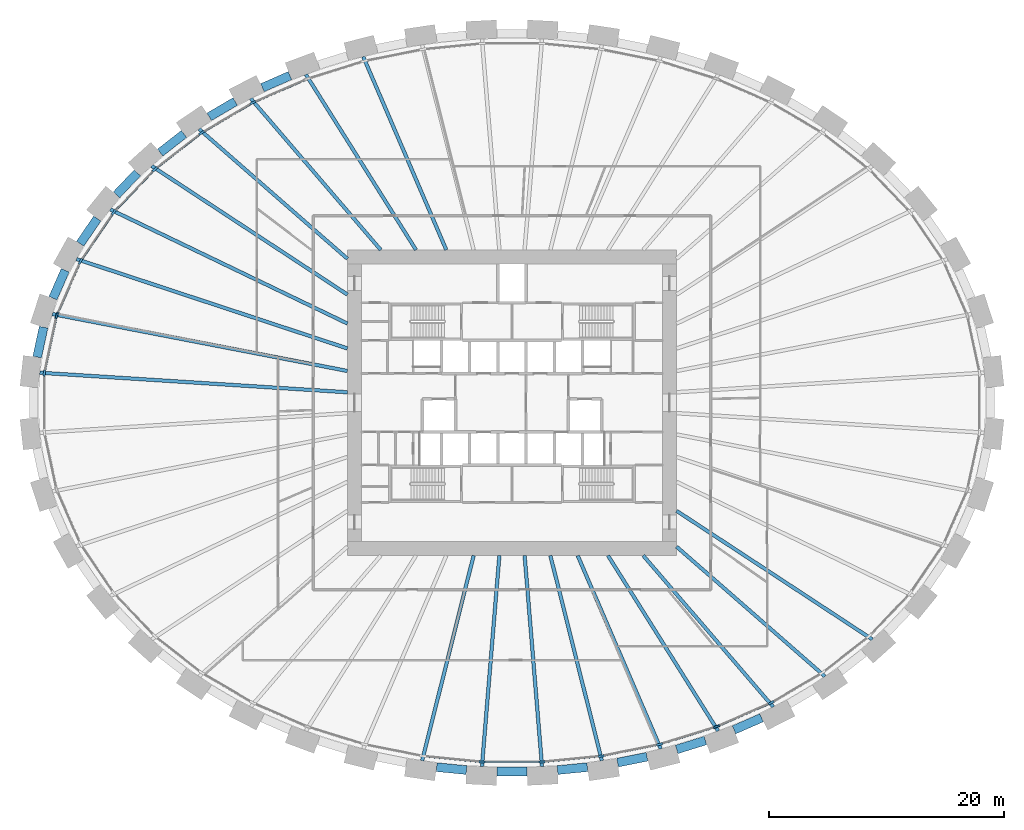
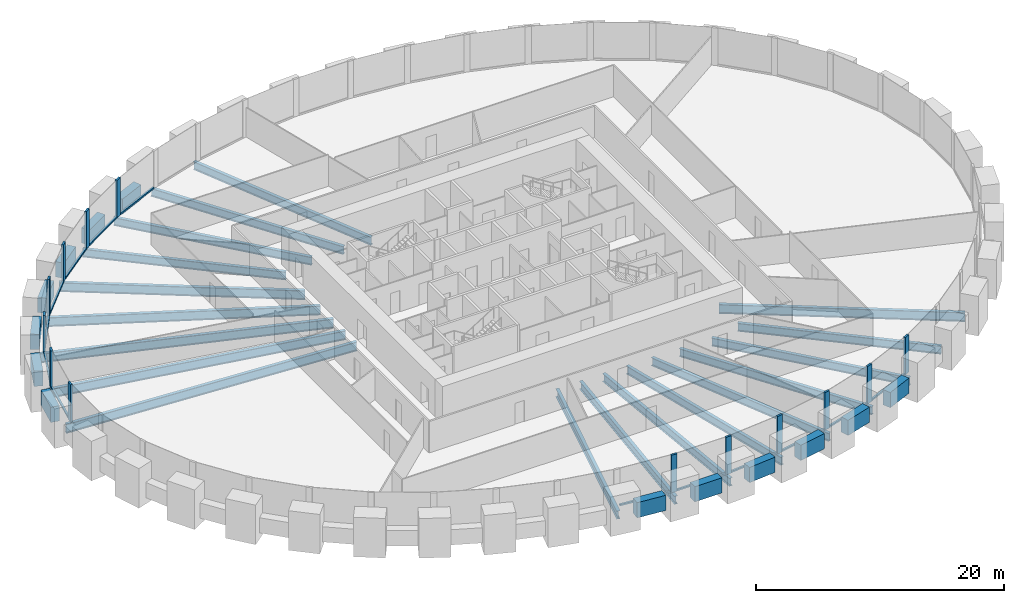
# One storey, part 2 of 10: 31 beams, 26 members, 1 element without a shape of its own.
"""IFC4 building model written with IfcOpenShell, lengths in metres."""

from ifc_helpers import new_model, si_unit, direction, frame, origin, origin_2d, place, context, subcontext, project, spatial, rectangle, i_section, extrude, source, transform, mapped, material, material_profile, profile_set, type_object, element, aggregate, save


model = new_model("IFC4")

# Units and contexts
model_context = context("Model", 3, precision=1e-05, world=origin(), true_north=direction((0.0, 1.0)))
body_context = subcontext(model_context, "Body", "Model", "MODEL_VIEW")
ifc_project = project(units=[si_unit("LENGTHUNIT", "METRE"), si_unit("AREAUNIT", "SQUARE_METRE"), si_unit("VOLUMEUNIT", "CUBIC_METRE"), si_unit("PLANEANGLEUNIT", "RADIAN"), si_unit("MASSUNIT", "GRAM", prefix="KILO")], contexts=[model_context])

# Site, building, storey
site_placement = place(None, origin())
site = spatial("IfcSite", under=ifc_project, at=site_placement, CompositionType="ELEMENT")
building_placement = place(site_placement, origin())
building = spatial("IfcBuilding", under=site, at=building_placement, Name="Embergate Tower", CompositionType="ELEMENT")
storey_placement = place(building_placement, frame((0.0, 0.0, 93.199951171875)))
storey = spatial("IfcBuildingStorey", under=building, at=storey_placement, Name="L19", CompositionType="ELEMENT", Elevation=93.199951171875)

# Beams
ifc_material_1 = material(Name="Concrete C70", Category="concrete")
ifc_material_profile_1 = material_profile(ifc_material_1, rectangle(XDim=0.75, YDim=1.5, at=origin_2d()), Name="RC 750x1500")
ifc_profile_set_1 = profile_set([ifc_material_profile_1], Name="Concrete C70")
beam_type_1 = type_object("IfcBeamType", Name="Spandrel beam RC 750x1500 C70", PredefinedType="BEAM", material=ifc_profile_set_1)
shared_shape_1 = source(origin(), body_context, "Body", "SweptSolid", [
    extrude(rectangle(XDim=0.75, YDim=1.5, at=origin_2d()), origin(), (0.0, 0.0, 1.0), 2.5498046875),
])
beam_1_placement = place(storey_placement, frame((-1.27490234375, -31.373046875, 0.0), z_axis=(1.0, 0.0, 0.0), x_axis=(0.0, 1.0, 0.0)))
element("IfcBeam", 1, at=beam_1_placement, inside=storey, type_object=beam_type_1, Name="SPN-L19-32", PredefinedType="BEAM", context=body_context, shape_type="MappedRepresentation", body=[
    mapped(shared_shape_1, transform((0.0, 0.0, 0.0))),
])
shared_shape_2 = source(origin(), body_context, "Body", "SweptSolid", [
    extrude(rectangle(XDim=0.75, YDim=1.5, at=origin_2d()), origin(), (0.0, 0.0, 1.0), 2.556640625),
])
for number, where, z_axis, x_axis, name in (
    (2, (-18.883056640625, 27.819091796875, 0.0), (-0.91608499415, -0.400984143692, 0.0), (0.400984143692, -0.91608499415, 0.0), "SPN-L19-14"),
    (3, (18.883056640625, -27.819091796875, 0.0), (0.91608499415, 0.400984143692, 0.0), (-0.400984143692, 0.91608499415, 0.0), "SPN-L19-36"),
):
    element("IfcBeam", number, at=place(storey_placement, frame(where, z_axis=z_axis, x_axis=x_axis)), inside=storey, type_object=beam_type_1, Name=name, PredefinedType="BEAM", context=body_context, shape_type="MappedRepresentation", body=[
        mapped(shared_shape_2, transform((0.0, 0.0, 0.0))),
    ])
shared_shape_3 = source(origin(), body_context, "Body", "SweptSolid", [
    extrude(rectangle(XDim=0.75, YDim=1.5, at=origin_2d()), origin(), (0.0, 0.0, 1.0), 2.55517578125),
])
beam_2_placement = place(storey_placement, frame((14.007080078125, -29.487060546875, 0.0), z_axis=(0.954863400913, 0.297045258499, 0.0), x_axis=(-0.297045258499, 0.954863400913, 0.0)))
element("IfcBeam", 4, at=beam_2_placement, inside=storey, type_object=beam_type_1, Name="SPN-L19-35", PredefinedType="BEAM", context=body_context, shape_type="MappedRepresentation", body=[
    mapped(shared_shape_3, transform((0.0, 0.0, 0.0))),
])
shared_shape_4 = source(origin(), body_context, "Body", "SweptSolid", [
    extrude(rectangle(XDim=0.75, YDim=1.5, at=origin_2d()), origin(), (0.0, 0.0, 1.0), 2.593017578125),
])
beam_3_placement = place(storey_placement, frame((-39.8369140625, 6.4169921875, 0.0), z_axis=(-0.210615598697, -0.977568958993, 0.0), x_axis=(0.977568958993, -0.210615598697, 0.0)))
element("IfcBeam", 5, at=beam_3_placement, inside=storey, type_object=beam_type_1, Name="SPN-L19-20", PredefinedType="BEAM", context=body_context, shape_type="MappedRepresentation", body=[
    mapped(shared_shape_4, transform((0.0, 0.0, 0.0))),
])
shared_shape_5 = source(origin(), body_context, "Body", "SweptSolid", [
    extrude(rectangle(XDim=0.75, YDim=1.5, at=origin_2d()), origin(), (0.0, 0.0, 1.0), 2.587646484375),
])
beam_4_placement = place(storey_placement, frame((-37.998046875, 11.260986328125, 0.0), z_axis=(-0.401546272055, -0.915838736568, 0.0), x_axis=(0.915838736568, -0.401546272055, 0.0)))
element("IfcBeam", 6, at=beam_4_placement, inside=storey, type_object=beam_type_1, Name="SPN-L19-19", PredefinedType="BEAM", context=body_context, shape_type="MappedRepresentation", body=[
    mapped(shared_shape_5, transform((0.0, 0.0, 0.0))),
])
shared_shape_6 = source(origin(), body_context, "Body", "SweptSolid", [
    extrude(rectangle(XDim=0.75, YDim=1.5, at=origin_2d()), origin(), (0.0, 0.0, 1.0), 2.5791015625),
])
beam_5_placement = place(storey_placement, frame((-35.27197265625, 15.658935546875, 0.0), z_axis=(-0.562170202136, -0.82702156189, 0.0), x_axis=(0.82702156189, -0.562170202136, 0.0)))
element("IfcBeam", 7, at=beam_5_placement, inside=storey, type_object=beam_type_1, Name="SPN-L19-18", PredefinedType="BEAM", context=body_context, shape_type="MappedRepresentation", body=[
    mapped(shared_shape_6, transform((0.0, 0.0, 0.0))),
])
shared_shape_7 = source(origin(), body_context, "Body", "SweptSolid", [
    extrude(rectangle(XDim=0.75, YDim=1.5, at=origin_2d()), origin(), (0.0, 0.0, 1.0), 2.57373046875),
])
beam_6_placement = place(storey_placement, frame((-31.862060546875, 19.5439453125, 0.0), z_axis=(-0.689972491303, -0.723835589927, 0.0), x_axis=(0.723835589927, -0.689972491303, 0.0)))
element("IfcBeam", 8, at=beam_6_placement, inside=storey, type_object=beam_type_1, Name="SPN-L19-17", PredefinedType="BEAM", context=body_context, shape_type="MappedRepresentation", body=[
    mapped(shared_shape_7, transform((0.0, 0.0, 0.0))),
])
shared_shape_8 = source(origin(), body_context, "Body", "SweptSolid", [
    extrude(rectangle(XDim=0.75, YDim=1.5, at=origin_2d()), origin(), (0.0, 0.0, 1.0), 2.5654296875),
])
beam_7_placement = place(storey_placement, frame((-27.89892578125, 22.85302734375, 0.0), z_axis=(-0.788131123291, -0.615507378103, 0.0), x_axis=(0.615507378103, -0.788131123291, 0.0)))
element("IfcBeam", 9, at=beam_7_placement, inside=storey, type_object=beam_type_1, Name="SPN-L19-16", PredefinedType="BEAM", context=body_context, shape_type="MappedRepresentation", body=[
    mapped(shared_shape_8, transform((0.0, 0.0, 0.0))),
])
shared_shape_9 = source(origin(), body_context, "Body", "SweptSolid", [
    extrude(rectangle(XDim=0.75, YDim=1.5, at=origin_2d()), origin(), (0.0, 0.0, 1.0), 2.561279296875),
])
beam_8_placement = place(storey_placement, frame((-23.541015625, 25.613037109375, 0.0), z_axis=(-0.862059156479, -0.506807666409, 0.0), x_axis=(0.506807666409, -0.862059156479, 0.0)))
element("IfcBeam", 10, at=beam_8_placement, inside=storey, type_object=beam_type_1, Name="SPN-L19-15", PredefinedType="BEAM", context=body_context, shape_type="MappedRepresentation", body=[
    mapped(shared_shape_9, transform((0.0, 0.0, 0.0))),
])
shared_shape_10 = source(origin(), body_context, "Body", "SweptSolid", [
    extrude(rectangle(XDim=0.75, YDim=1.5, at=origin_2d()), origin(), (0.0, 0.0, 1.0), 2.551513671875),
])
beam_9_placement = place(storey_placement, frame((8.98095703125, -30.612060546875, 0.0), z_axis=(0.980536490478, 0.196336931934, 0.0), x_axis=(-0.196336931934, 0.980536490478, 0.0)))
element("IfcBeam", 11, at=beam_9_placement, inside=storey, type_object=beam_type_1, Name="SPN-L19-34", PredefinedType="BEAM", context=body_context, shape_type="MappedRepresentation", body=[
    mapped(shared_shape_10, transform((0.0, 0.0, 0.0))),
])
shared_shape_11 = source(origin(), body_context, "Body", "SweptSolid", [
    extrude(rectangle(XDim=0.75, YDim=1.5, at=origin_2d()), origin(), (0.0, 0.0, 1.0), 2.550048828125),
])
for number, where, z_axis, x_axis, name in (
    (12, (-6.409912109375, -30.99609375, 0.0), (0.995220318417, -0.097655096179, 0.0), (0.097655096179, 0.995220318417, 0.0), "SPN-L19-31"),
    (13, (3.8720703125, -31.2451171875, 0.0), (0.995220318417, 0.097655096179, 0.0), (-0.097655096179, 0.995220318417, 0.0), "SPN-L19-33"),
):
    element("IfcBeam", number, at=place(storey_placement, frame(where, z_axis=z_axis, x_axis=x_axis)), inside=storey, type_object=beam_type_1, Name=name, PredefinedType="BEAM", context=body_context, shape_type="MappedRepresentation", body=[
        mapped(shared_shape_11, transform((0.0, 0.0, 0.0))),
    ])
ifc_material_2 = material(Name="Steel Q355B", Category="steel")
ifc_material_profile_2 = material_profile(ifc_material_2, i_section(OverallWidth=0.300048828125, OverallDepth=0.89990234375, WebThickness=0.01611328125, FlangeThickness=0.028076171875, FilletRadius=0.028076171875, at=origin_2d()), Name="HN 900x300x16x28")
ifc_profile_set_2 = profile_set([ifc_material_profile_2], Name="Steel Q355 grade B")
beam_type_2 = type_object("IfcBeamType", Name="Radial girder HN 900x300x16x28", PredefinedType="BEAM", material=ifc_profile_set_2)
shared_shape_12 = source(origin(), body_context, "Body", "SweptSolid", [
    extrude(i_section(OverallWidth=0.300048828125, OverallDepth=0.89990234375, WebThickness=0.01611328125, FlangeThickness=0.028076171875, FilletRadius=0.028076171875, at=origin_2d()), origin(), (0.0, 0.0, 1.0), 26.2158203125),
])
beam_10_placement = place(storey_placement, frame((-40.1630859375, 2.551025390625, -0.64990234375), z_axis=(0.997988133713, -0.063400985539, 0.0), x_axis=(0.063400985539, 0.997988133713, 0.0)))
element("IfcBeam", 14, at=beam_10_placement, inside=storey, type_object=beam_type_2, Name="GIR-L19-21", PredefinedType="BEAM", context=body_context, shape_type="MappedRepresentation", body=[
    mapped(shared_shape_12, transform((0.0, 0.0, 0.0))),
])
shared_shape_13 = source(origin(), body_context, "Body", "SweptSolid", [
    extrude(i_section(OverallWidth=0.300048828125, OverallDepth=0.89990234375, WebThickness=0.01611328125, FlangeThickness=0.028076171875, FilletRadius=0.028076171875, at=origin_2d()), origin(), (0.0, 0.0, 1.0), 25.5517578125),
])
beam_11_placement = place(storey_placement, frame((-39.089111328125, 7.541015625, -0.64990234375), z_axis=(0.981895532799, -0.189423236878, 0.0), x_axis=(0.189423236878, 0.981895532799, 0.0)))
element("IfcBeam", 15, at=beam_11_placement, inside=storey, type_object=beam_type_2, Name="GIR-L19-20", PredefinedType="BEAM", context=body_context, shape_type="MappedRepresentation", body=[
    mapped(shared_shape_13, transform((0.0, 0.0, 0.0))),
])
shared_shape_14 = source(origin(), body_context, "Body", "SweptSolid", [
    extrude(i_section(OverallWidth=0.300048828125, OverallDepth=0.89990234375, WebThickness=0.01611328125, FlangeThickness=0.028076171875, FilletRadius=0.028076171875, at=origin_2d()), origin(), (0.0, 0.0, 1.0), 24.259521484375),
])
beam_12_placement = place(storey_placement, frame((-37.0390625, 12.215087890625, -0.64990234375), z_axis=(0.949686852887, -0.313201024029, 0.0), x_axis=(0.313201024029, 0.949686852887, 0.0)))
element("IfcBeam", 16, at=beam_12_placement, inside=storey, type_object=beam_type_2, Name="GIR-L19-19", PredefinedType="BEAM", context=body_context, shape_type="MappedRepresentation", body=[
    mapped(shared_shape_14, transform((0.0, 0.0, 0.0))),
])
shared_shape_15 = source(origin(), body_context, "Body", "SweptSolid", [
    extrude(i_section(OverallWidth=0.300048828125, OverallDepth=0.89990234375, WebThickness=0.01611328125, FlangeThickness=0.028076171875, FilletRadius=0.028076171875, at=origin_2d()), origin(), (0.0, 0.0, 1.0), 22.381103515625),
])
beam_13_placement = place(storey_placement, frame((-34.1689453125, 16.43701171875, -0.64990234375), z_axis=(0.901159999326, -0.4334866268, 0.0), x_axis=(0.4334866268, 0.901159999326, 0.0)))
element("IfcBeam", 17, at=beam_13_placement, inside=storey, type_object=beam_type_2, Name="GIR-L19-18", PredefinedType="BEAM", context=body_context, shape_type="MappedRepresentation", body=[
    mapped(shared_shape_15, transform((0.0, 0.0, 0.0))),
])
shared_shape_16 = source(origin(), body_context, "Body", "SweptSolid", [
    extrude(i_section(OverallWidth=0.300048828125, OverallDepth=0.89990234375, WebThickness=0.01611328125, FlangeThickness=0.028076171875, FilletRadius=0.028076171875, at=origin_2d()), origin(), (0.0, 0.0, 1.0), 19.9140625),
])
for number, where, z_axis, x_axis, name in (
    (18, (-30.64306640625, 20.133056640625, -0.64990234375), (0.835747275066, -0.549114279745, 0.0), (0.549114279745, 0.835747275066, 0.0), "GIR-L19-17"),
    (19, (30.64306640625, -20.133056640625, -0.64990234375), (-0.835747275066, 0.549114279745, 0.0), (-0.549114279745, -0.835747275066, 0.0), "GIR-L19-39"),
):
    element("IfcBeam", number, at=place(storey_placement, frame(where, z_axis=z_axis, x_axis=x_axis)), inside=storey, type_object=beam_type_2, Name=name, PredefinedType="BEAM", context=body_context, shape_type="MappedRepresentation", body=[
        mapped(shared_shape_16, transform((0.0, 0.0, 0.0))),
    ])
ifc_material_profile_3 = material_profile(ifc_material_2, i_section(OverallWidth=0.300048828125, OverallDepth=0.800048828125, WebThickness=0.013916015625, FlangeThickness=0.02587890625, FilletRadius=0.028076171875, at=origin_2d()), Name="HN 800x300x14x26")
ifc_profile_set_3 = profile_set([ifc_material_profile_3], Name="Steel Q355 grade B")
beam_type_3 = type_object("IfcBeamType", Name="Radial girder HN 800x300x14x26", PredefinedType="BEAM", material=ifc_profile_set_3)
shared_shape_17 = source(origin(), body_context, "Body", "SweptSolid", [
    extrude(i_section(OverallWidth=0.300048828125, OverallDepth=0.800048828125, WebThickness=0.013916015625, FlangeThickness=0.02587890625, FilletRadius=0.028076171875, at=origin_2d()), origin(), (0.0, 0.0, 1.0), 16.76123046875),
])
for number, where, z_axis, x_axis, name in (
    (20, (-26.616943359375, 23.277099609375, -0.599853515625), (0.752743596645, -0.658313814005, 0.0), (0.658313814005, 0.752743596645, 0.0), "GIR-L19-16"),
    (21, (26.616943359375, -23.277099609375, -0.599853515625), (-0.752743596645, 0.658313814005, 0.0), (-0.658313814005, -0.752743596645, 0.0), "GIR-L19-38"),
):
    element("IfcBeam", number, at=place(storey_placement, frame(where, z_axis=z_axis, x_axis=x_axis)), inside=storey, type_object=beam_type_3, Name=name, PredefinedType="BEAM", context=body_context, shape_type="MappedRepresentation", body=[
        mapped(shared_shape_17, transform((0.0, 0.0, 0.0))),
    ])
shared_shape_18 = source(origin(), body_context, "Body", "SweptSolid", [
    extrude(i_section(OverallWidth=0.300048828125, OverallDepth=0.800048828125, WebThickness=0.013916015625, FlangeThickness=0.02587890625, FilletRadius=0.028076171875, at=origin_2d()), origin(), (0.0, 0.0, 1.0), 16.958984375),
])
for number, where, z_axis, x_axis, name in (
    (22, (-22.2119140625, 25.865966796875, -0.599853515625), (0.651500044605, -0.75864859578, 0.0), (0.75864859578, 0.651500044605, 0.0), "GIR-L19-15"),
    (23, (22.2119140625, -25.865966796875, -0.599853515625), (-0.651500044605, 0.75864859578, 0.0), (-0.75864859578, -0.651500044605, 0.0), "GIR-L19-37"),
):
    element("IfcBeam", number, at=place(storey_placement, frame(where, z_axis=z_axis, x_axis=x_axis)), inside=storey, type_object=beam_type_3, Name=name, PredefinedType="BEAM", context=body_context, shape_type="MappedRepresentation", body=[
        mapped(shared_shape_18, transform((0.0, 0.0, 0.0))),
    ])
shared_shape_19 = source(origin(), body_context, "Body", "SweptSolid", [
    extrude(i_section(OverallWidth=0.300048828125, OverallDepth=0.800048828125, WebThickness=0.013916015625, FlangeThickness=0.02587890625, FilletRadius=0.028076171875, at=origin_2d()), origin(), (0.0, 0.0, 1.0), 17.611083984375),
])
for number, where, z_axis, x_axis, name in (
    (24, (-17.531005859375, 27.9140625, -0.599853515625), (0.531822007443, -0.846856158034, 0.0), (0.846856158034, 0.531822007443, 0.0), "GIR-L19-14"),
    (25, (17.531005859375, -27.9140625, -0.599853515625), (-0.531822007443, 0.846856158034, 0.0), (-0.846856158034, -0.531822007443, 0.0), "GIR-L19-36"),
):
    element("IfcBeam", number, at=place(storey_placement, frame(where, z_axis=z_axis, x_axis=x_axis)), inside=storey, type_object=beam_type_3, Name=name, PredefinedType="BEAM", context=body_context, shape_type="MappedRepresentation", body=[
        mapped(shared_shape_19, transform((0.0, 0.0, 0.0))),
    ])
shared_shape_20 = source(origin(), body_context, "Body", "SweptSolid", [
    extrude(i_section(OverallWidth=0.300048828125, OverallDepth=0.800048828125, WebThickness=0.013916015625, FlangeThickness=0.02587890625, FilletRadius=0.028076171875, at=origin_2d()), origin(), (0.0, 0.0, 1.0), 17.88720703125),
])
for number, where, z_axis, x_axis, name in (
    (26, (-12.652099609375, 29.43310546875, -0.599853515625), (0.394932140267, -0.918710294154, 0.0), (0.918710294154, 0.394932140267, 0.0), "GIR-L19-13"),
    (27, (12.652099609375, -29.43310546875, -0.599853515625), (-0.394932140267, 0.918710294154, 0.0), (-0.918710294154, -0.394932140267, 0.0), "GIR-L19-35"),
):
    element("IfcBeam", number, at=place(storey_placement, frame(where, z_axis=z_axis, x_axis=x_axis)), inside=storey, type_object=beam_type_3, Name=name, PredefinedType="BEAM", context=body_context, shape_type="MappedRepresentation", body=[
        mapped(shared_shape_20, transform((0.0, 0.0, 0.0))),
    ])
shared_shape_21 = source(origin(), body_context, "Body", "SweptSolid", [
    extrude(i_section(OverallWidth=0.300048828125, OverallDepth=0.800048828125, WebThickness=0.013916015625, FlangeThickness=0.02587890625, FilletRadius=0.028076171875, at=origin_2d()), origin(), (0.0, 0.0, 1.0), 17.97802734375),
])
for number, where, z_axis, x_axis, name in (
    (28, (-7.64111328125, -30.43701171875, -0.599853515625), (0.243474924344, 0.969907192063, 0.0), (-0.969907192063, 0.243474924344, 0.0), "GIR-L19-31"),
    (29, (7.64111328125, -30.43701171875, -0.599853515625), (-0.243474924344, 0.969907192063, 0.0), (-0.969907192063, -0.243474924344, 0.0), "GIR-L19-34"),
):
    element("IfcBeam", number, at=place(storey_placement, frame(where, z_axis=z_axis, x_axis=x_axis)), inside=storey, type_object=beam_type_3, Name=name, PredefinedType="BEAM", context=body_context, shape_type="MappedRepresentation", body=[
        mapped(shared_shape_21, transform((0.0, 0.0, 0.0))),
    ])
shared_shape_22 = source(origin(), body_context, "Body", "SweptSolid", [
    extrude(i_section(OverallWidth=0.300048828125, OverallDepth=0.800048828125, WebThickness=0.013916015625, FlangeThickness=0.02587890625, FilletRadius=0.028076171875, at=origin_2d()), origin(), (0.0, 0.0, 1.0), 17.9990234375),
])
for number, where, z_axis, x_axis, name in (
    (30, (-2.554931640625, -30.93798828125, -0.599853515625), (0.08227987839, 0.996609262255, 0.0), (-0.996609262255, 0.08227987839, 0.0), "GIR-L19-32"),
    (31, (2.554931640625, -30.93798828125, -0.599853515625), (-0.08227987839, 0.996609262255, 0.0), (-0.996609262255, -0.08227987839, 0.0), "GIR-L19-33"),
):
    element("IfcBeam", number, at=place(storey_placement, frame(where, z_axis=z_axis, x_axis=x_axis)), inside=storey, type_object=beam_type_3, Name=name, PredefinedType="BEAM", context=body_context, shape_type="MappedRepresentation", body=[
        mapped(shared_shape_22, transform((0.0, 0.0, 0.0))),
    ])

# Curtain wall, members
ifc_material_3 = material(Name="Aluminium and glass", Category="aluminium")
curtain_wall_type = type_object("IfcCurtainWallType", Name="Recessed office glazing", PredefinedType="NOTDEFINED", material=ifc_material_3)
curtain_wall_placement = place(storey_placement, origin())
curtain_wall = element("IfcCurtainWall", 32, at=curtain_wall_placement, inside=storey, type_object=curtain_wall_type, Name="Recessed office glazing ring", ObjectType="RECESSED OFFICE GLAZING", PredefinedType="USERDEFINED")
ifc_material_4 = material(Name="Aluminium, thermally broken", Category="aluminium")
ifc_material_profile_4 = material_profile(ifc_material_4, rectangle(XDim=0.179931640625, YDim=0.52001953125, at=origin_2d()), Name="AL 520x180")
ifc_profile_set_4 = profile_set([ifc_material_profile_4], Name="Aluminium, thermally broken")
member_type_1 = type_object("IfcMemberType", Name="Office mullion", PredefinedType="MULLION", material=ifc_profile_set_4)
shared_shape_23 = source(origin(), body_context, "Body", "SweptSolid", [
    extrude(rectangle(XDim=0.179931640625, YDim=0.52001953125, at=origin_2d()), origin(), (0.0, 0.0, 1.0), 3.699951171875),
])
member_1_placement = place(storey_placement, frame((-22.03564453125, 25.518310546875, 0.0), z_axis=(0.0, 0.0, 1.0), x_axis=(0.454514489796, -0.890739343784, 0.0)))
member_1 = element("IfcMember", 33, at=member_1_placement, type_object=member_type_1, Name="CW mullion 16", PredefinedType="MULLION", context=body_context, shape_type="MappedRepresentation", body=[
    mapped(shared_shape_23, transform((0.0, 0.0, 0.0))),
])
member_2_placement = place(storey_placement, frame((-26.39794921875, 22.95361328125, 0.0), z_axis=(0.0, 0.0, 1.0), x_axis=(0.562220505278, -0.826987365953, 0.0)))
member_2 = element("IfcMember", 34, at=member_2_placement, type_object=member_type_1, Name="CW mullion 17", PredefinedType="MULLION", context=body_context, shape_type="MappedRepresentation", body=[
    mapped(shared_shape_23, transform((0.0, 0.0, 0.0))),
])
member_3_placement = place(storey_placement, frame((-30.382568359375, 19.84375, 0.0), z_axis=(0.0, 0.0, 1.0), x_axis=(0.671231708857, -0.741247592256, 0.0)))
member_3 = element("IfcMember", 35, at=member_3_placement, type_object=member_type_1, Name="CW mullion 18", PredefinedType="MULLION", context=body_context, shape_type="MappedRepresentation", body=[
    mapped(shared_shape_23, transform((0.0, 0.0, 0.0))),
])
member_4_placement = place(storey_placement, frame((-33.86572265625, 16.19140625, 0.0), z_axis=(0.0, 0.0, 1.0), x_axis=(0.777878048342, -0.628415262312, 0.0)))
member_4 = element("IfcMember", 36, at=member_4_placement, type_object=member_type_1, Name="CW mullion 19", PredefinedType="MULLION", context=body_context, shape_type="MappedRepresentation", body=[
    mapped(shared_shape_23, transform((0.0, 0.0, 0.0))),
])
member_5_placement = place(storey_placement, frame((-36.698974609375, 12.025390625, 0.0), z_axis=(0.0, 0.0, 1.0), x_axis=(0.875006120538, -0.484111855898, 0.0)))
member_5 = element("IfcMember", 37, at=member_5_placement, type_object=member_type_1, Name="CW mullion 20", PredefinedType="MULLION", context=body_context, shape_type="MappedRepresentation", body=[
    mapped(shared_shape_23, transform((0.0, 0.0, 0.0))),
])
member_6_placement = place(storey_placement, frame((-38.718994140625, 7.41943359375, 0.0), z_axis=(0.0, 0.0, 1.0), x_axis=(0.951500482757, -0.30764725143, 0.0)))
member_6 = element("IfcMember", 38, at=member_6_placement, type_object=member_type_1, Name="CW mullion 21", PredefinedType="MULLION", context=body_context, shape_type="MappedRepresentation", body=[
    mapped(shared_shape_23, transform((0.0, 0.0, 0.0))),
])
member_7_placement = place(storey_placement, frame((-39.775390625, 2.509765625, 0.0), z_axis=(0.0, 0.0, 1.0), x_axis=(0.994385324123, -0.105819786286, 0.0)))
member_7 = element("IfcMember", 39, at=member_7_placement, type_object=member_type_1, Name="CW mullion 22", PredefinedType="MULLION", context=body_context, shape_type="MappedRepresentation", body=[
    mapped(shared_shape_23, transform((0.0, 0.0, 0.0))),
])
member_8_placement = place(storey_placement, frame((-2.5361328125, -30.548095703125, 0.0), z_axis=(0.0, 0.0, 1.0), x_axis=(0.048971796621, 0.998800161762, 0.0)))
member_8 = element("IfcMember", 40, at=member_8_placement, type_object=member_type_1, Name="CW mullion 33", PredefinedType="MULLION", context=body_context, shape_type="MappedRepresentation", body=[
    mapped(shared_shape_23, transform((0.0, 0.0, 0.0))),
])
member_9_placement = place(storey_placement, frame((2.5361328125, -30.548095703125, 0.0), z_axis=(0.0, 0.0, 1.0), x_axis=(-0.048971796621, 0.998800161762, 0.0)))
member_9 = element("IfcMember", 41, at=member_9_placement, type_object=member_type_1, Name="CW mullion 34", PredefinedType="MULLION", context=body_context, shape_type="MappedRepresentation", body=[
    mapped(shared_shape_23, transform((0.0, 0.0, 0.0))),
])
member_10_placement = place(storey_placement, frame((7.583740234375, -30.052001953125, 0.0), z_axis=(0.0, 0.0, 1.0), x_axis=(-0.147412382818, 0.989075118174, 0.0)))
member_10 = element("IfcMember", 42, at=member_10_placement, type_object=member_type_1, Name="CW mullion 35", PredefinedType="MULLION", context=body_context, shape_type="MappedRepresentation", body=[
    mapped(shared_shape_23, transform((0.0, 0.0, 0.0))),
])
member_11_placement = place(storey_placement, frame((12.555419921875, -29.0546875, 0.0), z_axis=(0.0, 0.0, 1.0), x_axis=(-0.247313572481, 0.968935496752, 0.0)))
member_11 = element("IfcMember", 43, at=member_11_placement, type_object=member_type_1, Name="CW mullion 36", PredefinedType="MULLION", context=body_context, shape_type="MappedRepresentation", body=[
    mapped(shared_shape_23, transform((0.0, 0.0, 0.0))),
])
member_12_placement = place(storey_placement, frame((17.394775390625, -27.547607421875, 0.0), z_axis=(0.0, 0.0, 1.0), x_axis=(-0.349504318111, 0.93693475313, 0.0)))
member_12 = element("IfcMember", 44, at=member_12_placement, type_object=member_type_1, Name="CW mullion 37", PredefinedType="MULLION", context=body_context, shape_type="MappedRepresentation", body=[
    mapped(shared_shape_23, transform((0.0, 0.0, 0.0))),
])
member_13_placement = place(storey_placement, frame((22.03564453125, -25.518310546875, 0.0), z_axis=(0.0, 0.0, 1.0), x_axis=(-0.454514489796, 0.890739343784, 0.0)))
member_13 = element("IfcMember", 45, at=member_13_placement, type_object=member_type_1, Name="CW mullion 38", PredefinedType="MULLION", context=body_context, shape_type="MappedRepresentation", body=[
    mapped(shared_shape_23, transform((0.0, 0.0, 0.0))),
])
ifc_material_profile_5 = material_profile(ifc_material_4, rectangle(XDim=0.179931640625, YDim=0.14990234375, at=origin_2d()), Name="AL 150x180")
ifc_profile_set_5 = profile_set([ifc_material_profile_5], Name="Aluminium, thermally broken")
member_type_2 = type_object("IfcMemberType", Name="Office sill transom", PredefinedType="USERDEFINED", material=ifc_profile_set_5)
shared_shape_24 = source(origin(), body_context, "Body", "SweptSolid", [
    extrude(rectangle(XDim=0.179931640625, YDim=0.14990234375, at=origin_2d()), origin(), (0.0, 0.0, 1.0), 4.502197265625),
])
member_14_placement = place(storey_placement, frame((-38.773681640625, 7.165283203125, 0.074951171875), z_axis=(-0.210351167002, -0.977625892937, 0.0), x_axis=(0.977625892937, -0.210351167002, 0.0)))
member_14 = element("IfcMember", 46, at=member_14_placement, type_object=member_type_2, Name="CW transom 21.1", ObjectType="TRANSOM", PredefinedType="USERDEFINED", context=body_context, shape_type="MappedRepresentation", body=[
    mapped(shared_shape_24, transform((0.0, 0.0, 0.0))),
])
shared_shape_25 = source(origin(), body_context, "Body", "SweptSolid", [
    extrude(rectangle(XDim=0.179931640625, YDim=0.14990234375, at=origin_2d()), origin(), (0.0, 0.0, 1.0), 4.54541015625),
])
member_15_placement = place(storey_placement, frame((-17.6328125, 27.443603515625, 0.074951171875), z_axis=(-0.916233748986, -0.400644127898, 0.0), x_axis=(0.400644127898, -0.916233748986, 0.0)))
member_15 = element("IfcMember", 47, at=member_15_placement, type_object=member_type_2, Name="CW transom 15.1", ObjectType="TRANSOM", PredefinedType="USERDEFINED", context=body_context, shape_type="MappedRepresentation", body=[
    mapped(shared_shape_25, transform((0.0, 0.0, 0.0))),
])
member_16_placement = place(storey_placement, frame((17.6328125, -27.443603515625, 0.074951171875), z_axis=(0.916233748986, 0.400644127898, 0.0), x_axis=(-0.400644127898, 0.916233748986, 0.0)))
member_16 = element("IfcMember", 48, at=member_16_placement, type_object=member_type_2, Name="CW transom 37.1", ObjectType="TRANSOM", PredefinedType="USERDEFINED", context=body_context, shape_type="MappedRepresentation", body=[
    mapped(shared_shape_25, transform((0.0, 0.0, 0.0))),
])
shared_shape_26 = source(origin(), body_context, "Body", "SweptSolid", [
    extrude(rectangle(XDim=0.179931640625, YDim=0.14990234375, at=origin_2d()), origin(), (0.0, 0.0, 1.0), 4.50927734375),
])
member_17_placement = place(storey_placement, frame((-36.80322265625, 11.787109375, 0.074951171875), z_axis=(-0.401687783821, -0.915776678197, 0.0), x_axis=(0.915776678197, -0.401687783821, 0.0)))
member_17 = element("IfcMember", 49, at=member_17_placement, type_object=member_type_2, Name="CW transom 20.1", ObjectType="TRANSOM", PredefinedType="USERDEFINED", context=body_context, shape_type="MappedRepresentation", body=[
    mapped(shared_shape_26, transform((0.0, 0.0, 0.0))),
])
shared_shape_27 = source(origin(), body_context, "Body", "SweptSolid", [
    extrude(rectangle(XDim=0.179931640625, YDim=0.14990234375, at=origin_2d()), origin(), (0.0, 0.0, 1.0), 4.51806640625),
])
member_18_placement = place(storey_placement, frame((-34.011962890625, 15.976318359375, 0.074951171875), z_axis=(-0.562345492648, -0.826902380513, 0.0), x_axis=(0.826902380513, -0.562345492648, 0.0)))
member_18 = element("IfcMember", 50, at=member_18_placement, type_object=member_type_2, Name="CW transom 19.1", ObjectType="TRANSOM", PredefinedType="USERDEFINED", context=body_context, shape_type="MappedRepresentation", body=[
    mapped(shared_shape_27, transform((0.0, 0.0, 0.0))),
])
shared_shape_28 = source(origin(), body_context, "Body", "SweptSolid", [
    extrude(rectangle(XDim=0.179931640625, YDim=0.14990234375, at=origin_2d()), origin(), (0.0, 0.0, 1.0), 4.527099609375),
])
member_19_placement = place(storey_placement, frame((-30.56201171875, 19.655517578125, 0.074951171875), z_axis=(-0.690135768869, -0.723679915797, 0.0), x_axis=(0.723679915797, -0.690135768869, 0.0)))
member_19 = element("IfcMember", 51, at=member_19_placement, type_object=member_type_2, Name="CW transom 18.1", ObjectType="TRANSOM", PredefinedType="USERDEFINED", context=body_context, shape_type="MappedRepresentation", body=[
    mapped(shared_shape_28, transform((0.0, 0.0, 0.0))),
])
shared_shape_29 = source(origin(), body_context, "Body", "SweptSolid", [
    extrude(rectangle(XDim=0.179931640625, YDim=0.14990234375, at=origin_2d()), origin(), (0.0, 0.0, 1.0), 4.53466796875),
])
member_20_placement = place(storey_placement, frame((-26.60302734375, 22.793701171875, 0.074951171875), z_axis=(-0.78831323582, -0.615274119584, 0.0), x_axis=(0.615274119584, -0.78831323582, 0.0)))
member_20 = element("IfcMember", 52, at=member_20_placement, type_object=member_type_2, Name="CW transom 17.1", ObjectType="TRANSOM", PredefinedType="USERDEFINED", context=body_context, shape_type="MappedRepresentation", body=[
    mapped(shared_shape_29, transform((0.0, 0.0, 0.0))),
])
shared_shape_30 = source(origin(), body_context, "Body", "SweptSolid", [
    extrude(rectangle(XDim=0.179931640625, YDim=0.14990234375, at=origin_2d()), origin(), (0.0, 0.0, 1.0), 4.54052734375),
])
member_21_placement = place(storey_placement, frame((-22.259765625, 25.38671875, 0.074951171875), z_axis=(-0.862042012294, -0.506836826839, 0.0), x_axis=(0.506836826839, -0.862042012294, 0.0)))
member_21 = element("IfcMember", 53, at=member_21_placement, type_object=member_type_2, Name="CW transom 16.1", ObjectType="TRANSOM", PredefinedType="USERDEFINED", context=body_context, shape_type="MappedRepresentation", body=[
    mapped(shared_shape_30, transform((0.0, 0.0, 0.0))),
])
shared_shape_31 = source(origin(), body_context, "Body", "SweptSolid", [
    extrude(rectangle(XDim=0.179931640625, YDim=0.14990234375, at=origin_2d()), origin(), (0.0, 0.0, 1.0), 4.548583984375),
])
member_22_placement = place(storey_placement, frame((12.8037109375, -28.9775390625, 0.074951171875), z_axis=(0.954766057569, 0.297357991845, 0.0), x_axis=(-0.297357991845, 0.954766057569, 0.0)))
member_22 = element("IfcMember", 54, at=member_22_placement, type_object=member_type_2, Name="CW transom 36.1", ObjectType="TRANSOM", PredefinedType="USERDEFINED", context=body_context, shape_type="MappedRepresentation", body=[
    mapped(shared_shape_31, transform((0.0, 0.0, 0.0))),
])
shared_shape_32 = source(origin(), body_context, "Body", "SweptSolid", [
    extrude(rectangle(XDim=0.179931640625, YDim=0.14990234375, at=origin_2d()), origin(), (0.0, 0.0, 1.0), 4.55078125),
])
member_23_placement = place(storey_placement, frame((7.838623046875, -30.000732421875, 0.074951171875), z_axis=(0.980479438646, 0.196621642736, 0.0), x_axis=(-0.196621642736, 0.980479438646, 0.0)))
member_23 = element("IfcMember", 55, at=member_23_placement, type_object=member_type_2, Name="CW transom 35.1", ObjectType="TRANSOM", PredefinedType="USERDEFINED", context=body_context, shape_type="MappedRepresentation", body=[
    mapped(shared_shape_32, transform((0.0, 0.0, 0.0))),
])
shared_shape_33 = source(origin(), body_context, "Body", "SweptSolid", [
    extrude(rectangle(XDim=0.179931640625, YDim=0.14990234375, at=origin_2d()), origin(), (0.0, 0.0, 1.0), 4.552001953125),
])
member_24_placement = place(storey_placement, frame((-7.3251953125, -30.077392578125, 0.074951171875), z_axis=(0.995203575845, -0.097825572448, 0.0), x_axis=(0.097825572448, 0.995203575845, 0.0)))
member_24 = element("IfcMember", 56, at=member_24_placement, type_object=member_type_2, Name="CW transom 32.1", ObjectType="TRANSOM", PredefinedType="USERDEFINED", context=body_context, shape_type="MappedRepresentation", body=[
    mapped(shared_shape_33, transform((0.0, 0.0, 0.0))),
])
member_25_placement = place(storey_placement, frame((2.794921875, -30.522705078125, 0.074951171875), z_axis=(0.995203575845, 0.097825572448, 0.0), x_axis=(-0.097825572448, 0.995203575845, 0.0)))
member_25 = element("IfcMember", 57, at=member_25_placement, type_object=member_type_2, Name="CW transom 34.1", ObjectType="TRANSOM", PredefinedType="USERDEFINED", context=body_context, shape_type="MappedRepresentation", body=[
    mapped(shared_shape_33, transform((0.0, 0.0, 0.0))),
])
shared_shape_34 = source(origin(), body_context, "Body", "SweptSolid", [
    extrude(rectangle(XDim=0.179931640625, YDim=0.14990234375, at=origin_2d()), origin(), (0.0, 0.0, 1.0), 4.55224609375),
])
member_26_placement = place(storey_placement, frame((-2.276123046875, -30.548095703125, 0.074951171875), z_axis=(1.0, 0.0, 0.0), x_axis=(0.0, 1.0, 0.0)))
member_26 = element("IfcMember", 58, at=member_26_placement, type_object=member_type_2, Name="CW transom 33.1", ObjectType="TRANSOM", PredefinedType="USERDEFINED", context=body_context, shape_type="MappedRepresentation", body=[
    mapped(shared_shape_34, transform((0.0, 0.0, 0.0))),
])
aggregate(curtain_wall, [member_1, member_2, member_3, member_4, member_5, member_6, member_7, member_8, member_9, member_10, member_11, member_12, member_13, member_15, member_21, member_20, member_19, member_18, member_17, member_14, member_24, member_26, member_25, member_23, member_22, member_16])

save(model, "model.ifc")
